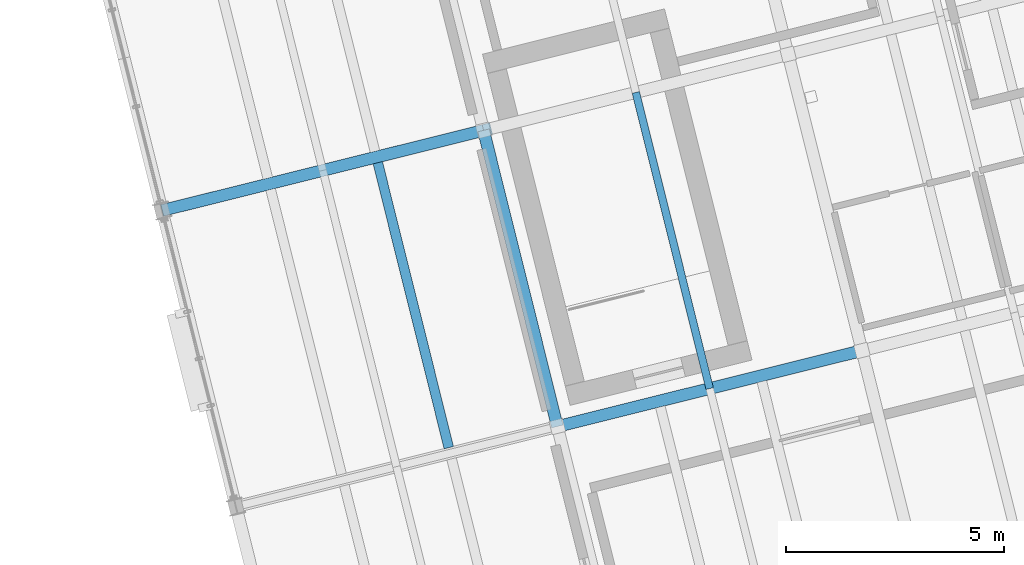
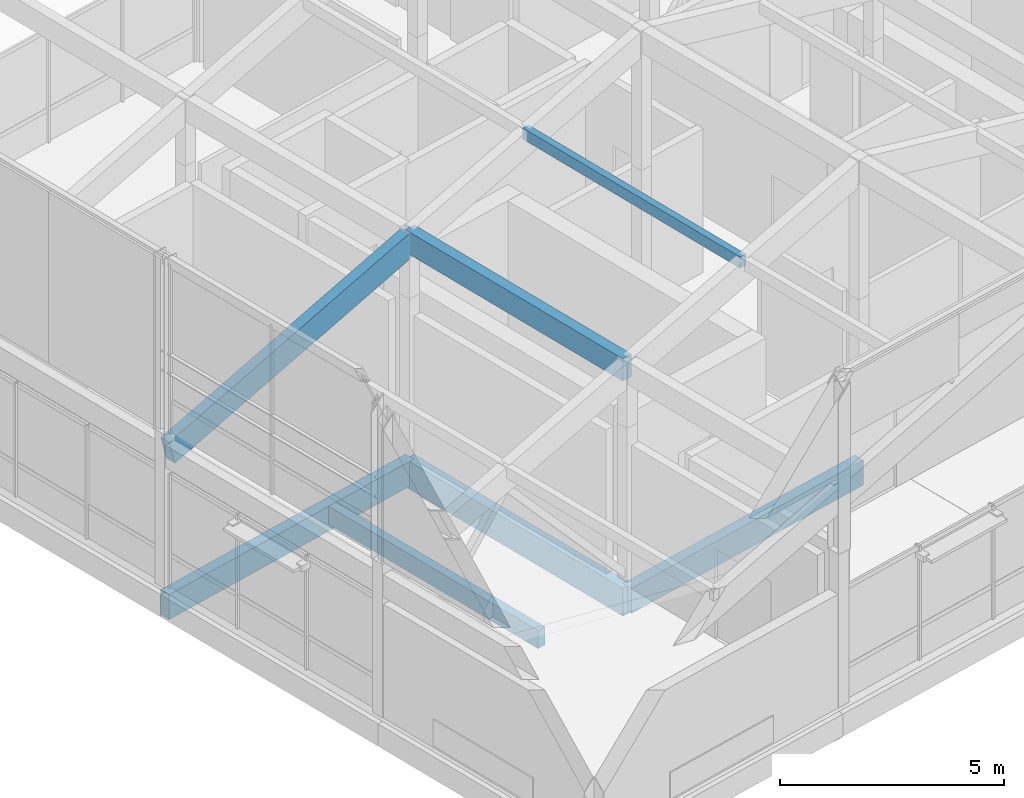
# One storey, part 7 of 31: 6 beams, 1 member.
"""IFC4 building model written with IfcOpenShell, lengths in metres."""

from ifc_helpers import new_model, si_unit, direction, frame, origin, origin_2d, place, context, subcontext, project, spatial, rectangle, extrude, material, material_profile, profile_set, type_object, element, save


model = new_model("IFC4")

# Units and contexts
model_context = context("Model", 3, precision=1e-05, world=origin(), true_north=direction((0.0, 1.0)))
body_context = subcontext(model_context, "Body", "Model", "MODEL_VIEW")
ifc_project = project(units=[si_unit("LENGTHUNIT", "METRE"), si_unit("AREAUNIT", "SQUARE_METRE"), si_unit("VOLUMEUNIT", "CUBIC_METRE"), si_unit("PLANEANGLEUNIT", "RADIAN"), si_unit("MASSUNIT", "GRAM", prefix="KILO")], contexts=[model_context])

# Site, building, storey
site_placement = place(None, origin())
site = spatial("IfcSite", under=ifc_project, at=site_placement, CompositionType="ELEMENT")
building_placement = place(site_placement, origin())
building = spatial("IfcBuilding", under=site, at=building_placement, Name="Meriwether Solvik Hall", CompositionType="ELEMENT")
storey_placement = place(building_placement, frame((0.0, 0.0, 61.199951171875)))
storey = spatial("IfcBuildingStorey", under=building, at=storey_placement, Name="L15", CompositionType="ELEMENT", Elevation=61.199951171875)

# Beams
ifc_material_1 = material(Name="Glulam Douglas-Fir 24F-V8 GL28h", Category="wood")
ifc_material_profile_1 = material_profile(ifc_material_1, rectangle(XDim=0.27294921875, YDim=0.610107421875, at=origin_2d()), Name="GLB-273X610")
ifc_profile_set_1 = profile_set([ifc_material_profile_1], Name="Glulam Douglas-Fir 24F-V8 GL28h")
beam_type_1 = type_object("IfcBeamType", Name="BM-GL-273X610", PredefinedType="SPANDREL", material=ifc_profile_set_1)
beam_1_placement = place(storey_placement, frame((74.3291015625, 49.63671875, 5.704345703125), z_axis=(-0.241911879182, 0.970298223594, 0.0), x_axis=(-0.970298223594, -0.241911879182, 0.0)))
element("IfcBeam", 1, at=beam_1_placement, inside=storey, type_object=beam_type_1, Name="Roof Tie Beam T2:TB-TC", PredefinedType="SPANDREL", context=body_context, shape_type="SweptSolid", body=[
    extrude(rectangle(XDim=0.27294921875, YDim=0.610107421875, at=origin_2d()), origin(), (0.0, 0.0, 1.0), 7.0),
])
ifc_material_2 = material(Name="Glulam Douglas-Fir 24F-V8 GL28h", Category="wood")
ifc_material_profile_2 = material_profile(ifc_material_2, rectangle(XDim=0.27294921875, YDim=0.68505859375, at=origin_2d()), Name="GLB-273X685")
ifc_profile_set_2 = profile_set([ifc_material_profile_2], Name="Glulam Douglas-Fir 24F-V8 GL28h")
beam_type_2 = type_object("IfcBeamType", Name="BM-GL-273X685", PredefinedType="BEAM", material=ifc_profile_set_2)
beam_2_placement = place(storey_placement, frame((74.3291015625, 49.63671875, -0.58740234375), z_axis=(0.970301855688, 0.241897310542, 0.0), x_axis=(-0.241897310542, 0.970301855688, 0.0)))
element("IfcBeam", 2, at=beam_2_placement, inside=storey, type_object=beam_type_2, Name="Tower Girder TB:T2-T3 (L15)", PredefinedType="BEAM", context=body_context, shape_type="SweptSolid", body=[
    extrude(rectangle(XDim=0.27294921875, YDim=0.68505859375, at=origin_2d()), origin(), (0.0, 0.0, 1.0), 7.2001953125),
])
beam_3_placement = place(storey_placement, frame((65.261474609375, 54.590087890625, -0.58740234375), z_axis=(0.970295366785, 0.241923337436, 0.0), x_axis=(-0.241923337436, 0.970295366785, 0.0)))
element("IfcBeam", 3, at=beam_3_placement, inside=storey, type_object=beam_type_2, Name="Tower Girder TC:T1-T2 (L15)", PredefinedType="BEAM", context=body_context, shape_type="SweptSolid", body=[
    extrude(rectangle(XDim=0.27294921875, YDim=0.68505859375, at=origin_2d()), origin(), (0.0, 0.0, 1.0), 7.60009765625),
])
beam_4_placement = place(storey_placement, frame((65.35009765625, 54.6123046875, 3.573974609375), z_axis=(0.935075971335, 0.233142100319, 0.266978817308), x_axis=(-0.241923337436, 0.970295366785, 0.0)))
element("IfcBeam", 4, at=beam_4_placement, inside=storey, type_object=beam_type_2, Name="Sloped Roof Rafter TC:T1-T2", PredefinedType="BEAM", context=body_context, shape_type="SweptSolid", body=[
    extrude(rectangle(XDim=0.27294921875, YDim=0.68505859375, at=origin_2d()), origin(), (0.0, 0.0, 1.0), 7.88623046875),
])
ifc_material_3 = material(Name="Glulam Douglas-Fir 24F-V8 GL28h", Category="wood")
ifc_material_profile_3 = material_profile(ifc_material_3, rectangle(XDim=0.27294921875, YDim=0.760009765625, at=origin_2d()), Name="GLB-273X760")
ifc_profile_set_3 = profile_set([ifc_material_profile_3], Name="Glulam Douglas-Fir 24F-V8 GL28h")
beam_type_3 = type_object("IfcBeamType", Name="BM-GL-273X760", PredefinedType="BEAM", material=ifc_profile_set_3)
beam_5_placement = place(storey_placement, frame((74.3291015625, 49.63671875, -0.625), z_axis=(-0.241911879182, 0.970298223594, 0.0), x_axis=(-0.970298223594, -0.241911879182, 0.0)))
element("IfcBeam", 5, at=beam_5_placement, inside=storey, type_object=beam_type_3, Name="Tower Girder T2:TB-TC (L15)", PredefinedType="BEAM", context=body_context, shape_type="SweptSolid", body=[
    extrude(rectangle(XDim=0.27294921875, YDim=0.760009765625, at=origin_2d()), origin(), (0.0, 0.0, 1.0), 7.0),
])
ifc_material_4 = material(Name="Glulam Douglas-Fir 24F-V8 GL28h", Category="wood")
ifc_material_profile_4 = material_profile(ifc_material_4, rectangle(XDim=0.221923828125, YDim=0.4951171875, at=origin_2d()), Name="GLJ-222X495")
ifc_profile_set_4 = profile_set([ifc_material_profile_4], Name="Glulam Douglas-Fir 24F-V8 GL28h")
beam_type_4 = type_object("IfcBeamType", Name="JST-GL-222X495", PredefinedType="JOIST", material=ifc_profile_set_4)
beam_6_placement = place(storey_placement, frame((71.83935546875, 49.1513671875, -0.492431640625), z_axis=(-0.241930176813, 0.9702936615, 0.0), x_axis=(-0.9702936615, -0.241930176813, 0.0)))
element("IfcBeam", 6, at=beam_6_placement, inside=storey, type_object=beam_type_4, Name="Glulam Floor Joist T1/TB-J2 (L15)", PredefinedType="JOIST", context=body_context, shape_type="SweptSolid", body=[
    extrude(rectangle(XDim=0.221923828125, YDim=0.4951171875, at=origin_2d()), origin(), (0.0, 0.0, 1.0), 6.737060546875),
])

# Member
ifc_material_5 = material(Name="Glulam Douglas-Fir 24F-V8 GL28h", Category="wood")
ifc_material_profile_5 = material_profile(ifc_material_5, rectangle(XDim=0.175048828125, YDim=0.304931640625, at=origin_2d()), Name="GLM-175X305")
ifc_profile_set_5 = profile_set([ifc_material_profile_5], Name="Glulam Douglas-Fir 24F-V8 GL28h")
member_type = type_object("IfcMemberType", Name="MEM-PRL-GL175", PredefinedType="PURLIN", material=ifc_profile_set_5)
member_placement = place(storey_placement, frame((77.822265625, 50.507568359375, 6.854248046875), z_axis=(-0.241911879182, 0.970298223594, 0.0), x_axis=(-0.970298223594, -0.241911879182, 0.0)))
element("IfcMember", 7, at=member_placement, inside=storey, type_object=member_type, Name="Tower Roof Glulam Purlin 2.2", PredefinedType="PURLIN", context=body_context, shape_type="SweptSolid", body=[
    extrude(rectangle(XDim=0.175048828125, YDim=0.304931640625, at=origin_2d()), origin(), (0.0, 0.0, 1.0), 7.0),
])

save(model, "model.ifc")
